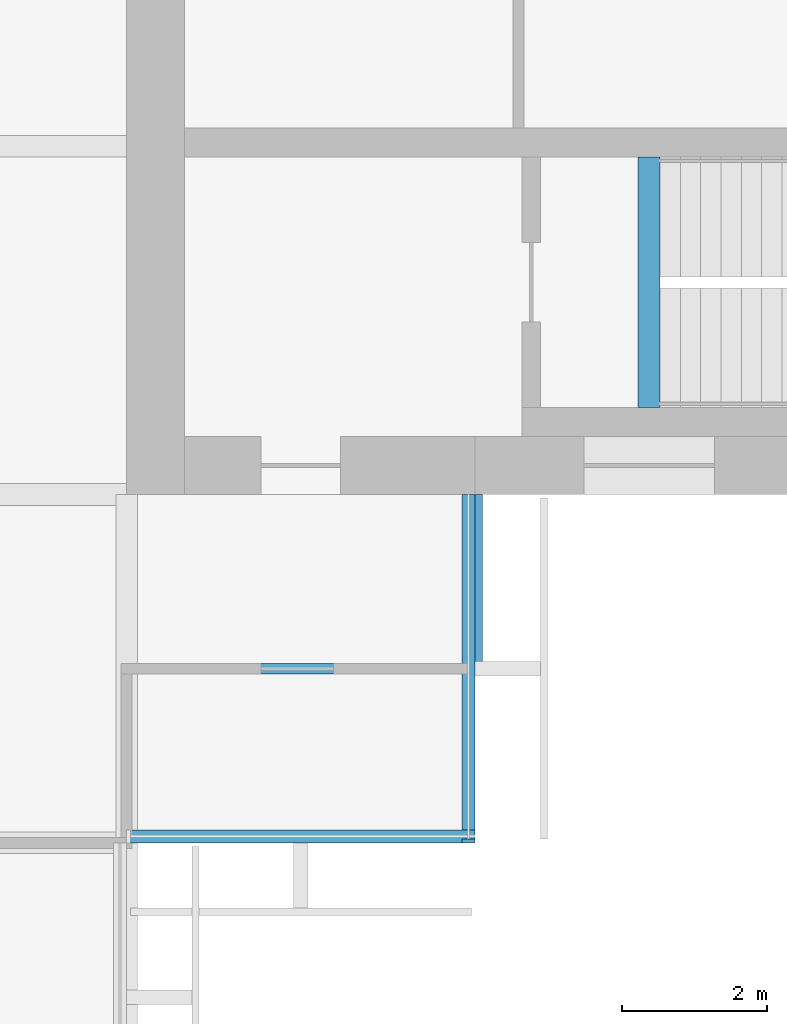
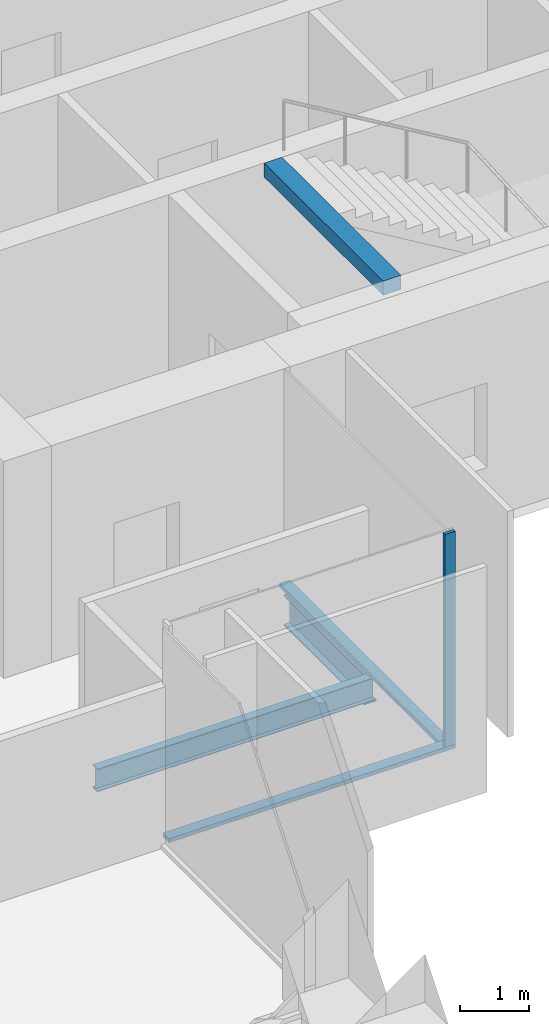
# One storey, part 4 of 13: 3 beams, 3 members, 2 elements without a shape of their own.
"""IFC4 building model written with IfcOpenShell, lengths in metres."""

from ifc_helpers import new_model, si_unit, direction, frame, origin, origin_2d, place, context, subcontext, project, spatial, rectangle, i_section, extrude, material, material_profile, profile_set, type_object, element, aggregate, save


model = new_model("IFC4")

# Units and contexts
model_context = context("Model", 3, precision=1e-05, world=origin(), true_north=direction((0.0, 1.0)))
body_context = subcontext(model_context, "Body", "Model", "MODEL_VIEW")
ifc_project = project(units=[si_unit("LENGTHUNIT", "METRE"), si_unit("AREAUNIT", "SQUARE_METRE"), si_unit("VOLUMEUNIT", "CUBIC_METRE"), si_unit("PLANEANGLEUNIT", "RADIAN"), si_unit("MASSUNIT", "GRAM", prefix="KILO")], contexts=[model_context])

# Site, building, storey
site_placement = place(None, origin())
site = spatial("IfcSite", under=ifc_project, at=site_placement, CompositionType="ELEMENT")
building_placement = place(site_placement, origin())
building = spatial("IfcBuilding", under=site, at=building_placement, Name="Baori Bourse Tower", CompositionType="ELEMENT")
storey_placement = place(building_placement, frame((0.0, 0.0, 253.199951171875)))
storey = spatial("IfcBuildingStorey", under=building, at=storey_placement, Name="L56", CompositionType="ELEMENT", Elevation=253.199951171875)

# Curtain wall, member
ifc_material_1 = material(Name="Pale anodised aluminium", Category="aluminium")
curtain_wall_type = type_object("IfcCurtainWallType", Name="CW2 Curtain wall", PredefinedType="NOTDEFINED", material=ifc_material_1)
curtain_wall_1_placement = place(storey_placement, origin())
curtain_wall_1 = element("IfcCurtainWall", 1, at=curtain_wall_1_placement, inside=storey, type_object=curtain_wall_type, Name="Curtain wall CW2 L56 14", PredefinedType="NOTDEFINED")
ifc_material_2 = material(Name="Pale anodised aluminium", Category="aluminium")
ifc_material_profile_1 = material_profile(ifc_material_2, rectangle(XDim=0.179931640625, YDim=0.054931640625, at=origin_2d()), Name="Mullion 55x180")
ifc_profile_set_1 = profile_set([ifc_material_profile_1], Name="Pale anodised aluminium")
member_type_1 = type_object("IfcMemberType", Name="CW2 Curtain wall mullion", PredefinedType="MULLION", material=ifc_profile_set_1)
member_1_placement = place(storey_placement, frame((43.110107421875, 4.827392578125, 0.070068359375), z_axis=(0.0, 0.0, 1.0), x_axis=(-1.0, 0.0, 0.0)))
member_1 = element("IfcMember", 2, at=member_1_placement, type_object=member_type_1, Name="Curtain wall CW2 mullion", PredefinedType="MULLION", context=body_context, shape_type="SweptSolid", body=[
    extrude(rectangle(XDim=0.179931640625, YDim=0.054931640625, at=origin_2d()), origin(), (0.0, 0.0, 1.0), 3.77001953125),
])

curtain_wall_2_placement = place(storey_placement, origin())
curtain_wall_2 = element("IfcCurtainWall", 3, at=curtain_wall_2_placement, inside=storey, type_object=curtain_wall_type, Name="Curtain wall CW2 L56 13", PredefinedType="NOTDEFINED")
ifc_material_3 = material(Name="Pale anodised aluminium", Category="aluminium")
ifc_material_profile_2 = material_profile(ifc_material_3, rectangle(XDim=0.179931640625, YDim=0.070068359375, at=origin_2d()), Name="Transom 70x180")
ifc_profile_set_2 = profile_set([ifc_material_profile_2], Name="Pale anodised aluminium")
member_type_2 = type_object("IfcMemberType", Name="CW2 Curtain wall transom", PredefinedType="USERDEFINED", material=ifc_profile_set_2)
member_2_placement = place(storey_placement, frame((38.39990234375, 4.889892578125, 0.03515625), z_axis=(1.0, 0.0, 0.0), x_axis=(0.0, 1.0, 0.0)))
member_2 = element("IfcMember", 4, at=member_2_placement, type_object=member_type_2, Name="Curtain wall CW2 sill rail", ObjectType="TRANSOM", PredefinedType="USERDEFINED", context=body_context, shape_type="SweptSolid", body=[
    extrude(rectangle(XDim=0.179931640625, YDim=0.070068359375, at=origin_2d()), origin(), (0.0, 0.0, 1.0), 4.800048828125),
])
aggregate(curtain_wall_2, [member_2])

# Member
member_3_placement = place(storey_placement, frame((43.110107421875, 4.800048828125, 0.03515625), z_axis=(0.0, 1.0, 0.0), x_axis=(-1.0, 0.0, 0.0)))
member_3 = element("IfcMember", 5, at=member_3_placement, type_object=member_type_2, Name="Curtain wall CW2 sill rail", ObjectType="TRANSOM", PredefinedType="USERDEFINED", context=body_context, shape_type="SweptSolid", body=[
    extrude(rectangle(XDim=0.179931640625, YDim=0.070068359375, at=origin_2d()), origin(), (0.0, 0.0, 1.0), 4.800048828125),
])

aggregate(curtain_wall_1, [member_3, member_1])

# Beams
ifc_material_4 = material(Name="Steel A992 Gr 50", Category="steel")
ifc_material_profile_3 = material_profile(ifc_material_4, i_section(OverallWidth=0.21240234375, OverallDepth=0.54345703125, WebThickness=0.01318359375, FlangeThickness=0.021240234375, at=origin_2d()), Name="W21x83")
ifc_profile_set_3 = profile_set([ifc_material_profile_3], Name="Steel A992 Gr 50")
beam_type_1 = type_object("IfcBeamType", Name="Core bracket W21x83", PredefinedType="BEAM", material=ifc_profile_set_3)
beam_1_placement = place(storey_placement, frame((43.199951171875, 7.270263671875, -0.431640625), z_axis=(0.0, 1.0, 0.0), x_axis=(-1.0, 0.0, 0.0)))
element("IfcBeam", 6, at=beam_1_placement, inside=storey, type_object=beam_type_1, Name="Core bracket L56", PredefinedType="BEAM", context=body_context, shape_type="SweptSolid", body=[
    extrude(i_section(OverallWidth=0.21240234375, OverallDepth=0.54345703125, WebThickness=0.01318359375, FlangeThickness=0.021240234375, at=origin_2d()), origin(), (0.0, 0.0, 1.0), 2.329833984375),
])
ifc_material_5 = material(Name="Concrete f'c 50 MPa", Category="concrete")
ifc_material_profile_4 = material_profile(ifc_material_5, rectangle(XDim=0.300048828125, YDim=0.25, at=origin_2d()), Name="RC 300x250")
ifc_profile_set_4 = profile_set([ifc_material_profile_4], Name="Concrete f'c 50 MPa")
beam_type_2 = type_object("IfcBeamType", Name="Stair nib beam RC 300x250", PredefinedType="BEAM", material=ifc_profile_set_4)
beam_2_placement = place(storey_placement, frame((45.60009765625, 10.800048828125, 3.715087890625), z_axis=(0.0, 1.0, 0.0), x_axis=(-1.0, 0.0, 0.0)))
element("IfcBeam", 7, at=beam_2_placement, inside=storey, type_object=beam_type_2, Name="Stair EA nib beam L57", PredefinedType="BEAM", context=body_context, shape_type="SweptSolid", body=[
    extrude(rectangle(XDim=0.300048828125, YDim=0.25, at=origin_2d()), origin(), (0.0, 0.0, 1.0), 3.449951171875),
])
ifc_material_6 = material(Name="Steel A992 Gr 50", Category="steel")
ifc_material_profile_5 = material_profile(ifc_material_6, i_section(OverallWidth=0.140380859375, OverallDepth=0.40380859375, WebThickness=0.007080078125, FlangeThickness=0.01123046875, at=origin_2d()), Name="W16x31")
ifc_profile_set_5 = profile_set([ifc_material_profile_5], Name="Steel A992 Gr 50")
beam_type_3 = type_object("IfcBeamType", Name="Trimmer beam W16x31", PredefinedType="BEAM", material=ifc_profile_set_5)
beam_3_placement = place(storey_placement, frame((38.546142578125, 7.199951171875, -0.36181640625), z_axis=(1.0, 0.0, 0.0), x_axis=(0.0, 1.0, 0.0)))
element("IfcBeam", 8, at=beam_3_placement, inside=storey, type_object=beam_type_3, Name="Trimmer beam L56", PredefinedType="BEAM", context=body_context, shape_type="SweptSolid", body=[
    extrude(i_section(OverallWidth=0.140380859375, OverallDepth=0.40380859375, WebThickness=0.007080078125, FlangeThickness=0.01123046875, at=origin_2d()), origin(), (0.0, 0.0, 1.0), 4.65380859375),
])

save(model, "model.ifc")
